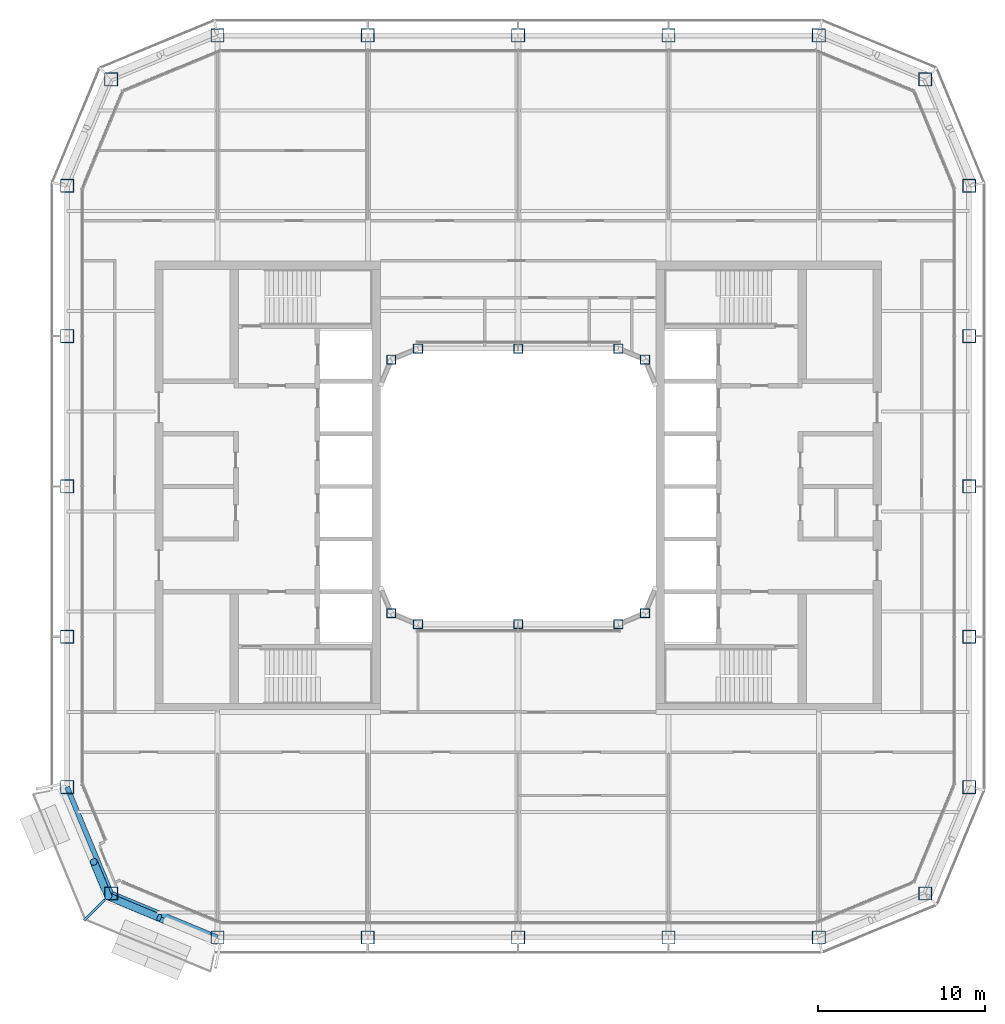
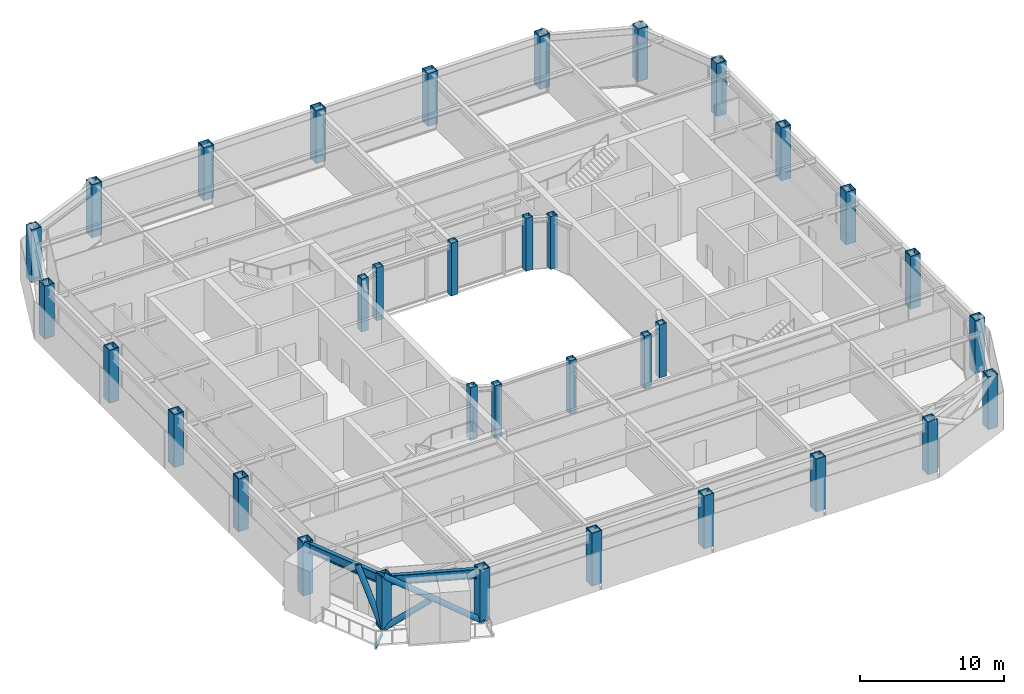
# One storey, part 1 of 23: 34 columns, 3 beams, 3 members.
"""IFC4 building model written with IfcOpenShell, lengths in metres."""

from ifc_helpers import new_model, si_unit, direction, frame, origin, origin_2d, place, context, subcontext, project, spatial, hollow_rectangle, hollow_circle, i_section, extrude, material, material_profile, profile_set, type_object, element, save


model = new_model("IFC4")

# Units and contexts
model_context = context("Model", 3, precision=1e-05, world=origin(), true_north=direction((0.0, 1.0)))
body_context = subcontext(model_context, "Body", "Model", "MODEL_VIEW")
ifc_project = project(units=[si_unit("LENGTHUNIT", "METRE"), si_unit("AREAUNIT", "SQUARE_METRE"), si_unit("VOLUMEUNIT", "CUBIC_METRE"), si_unit("PLANEANGLEUNIT", "RADIAN"), si_unit("MASSUNIT", "GRAM", prefix="KILO")], contexts=[model_context])

# Site, building, storey
site_placement = place(None, origin())
site = spatial("IfcSite", under=ifc_project, at=site_placement, CompositionType="ELEMENT")
building_placement = place(site_placement, origin())
building = spatial("IfcBuilding", under=site, at=building_placement, Name="Siwar Civic Tower", CompositionType="ELEMENT")
storey_placement = place(building_placement, frame((0.0, 0.0, 251.199951171875)))
storey = spatial("IfcBuildingStorey", under=building, at=storey_placement, Name="L54", CompositionType="ELEMENT", Elevation=251.199951171875)

# Columns
ifc_material_1 = material(Name="Steel S355", Category="steel")
ifc_material_profile_1 = material_profile(ifc_material_1, hollow_rectangle(XDim=0.800048828125, YDim=0.800048828125, WallThickness=0.044921875, at=origin_2d()), Name="BOX800x800x45")
ifc_profile_set_1 = profile_set([ifc_material_profile_1], Name="Steel S355")
column_type_1 = type_object("IfcColumnType", Name="STR-COL-BOX800x800x45", PredefinedType="COLUMN", material=ifc_profile_set_1)
for number, where, z_axis, x_axis, name in (
    (1, (-18.0, -27.0, 0.0), (0.0, 0.0, 1.0), (1.0, 0.0, 0.0), "L54/col/S-0"),
    (2, (-9.0, -27.0, 0.0), (0.0, 0.0, 1.0), (1.0, 0.0, 0.0), "L54/col/S-1"),
    (3, (0.0, -27.0, 0.0), (0.0, 0.0, 1.0), (1.0, 0.0, 0.0), "L54/col/S-2"),
    (4, (9.0, -27.0, 0.0), (0.0, 0.0, 1.0), (1.0, 0.0, 0.0), "L54/col/S-3"),
    (5, (18.0, -27.0, 0.0), (0.0, 0.0, 1.0), (1.0, 0.0, 0.0), "L54/col/SE1-0"),
    (6, (24.364013671875, -24.364013671875, 0.0), (0.0, 0.0, 1.0), (1.0, 0.0, 0.0), "L54/col/SE2-0"),
    (7, (27.0, -18.0, 0.0), (0.0, 0.0, 1.0), (1.0, 0.0, 0.0), "L54/col/E-0"),
    (8, (27.0, -9.0, 0.0), (0.0, 0.0, 1.0), (1.0, 0.0, 0.0), "L54/col/E-1"),
    (9, (27.0, 0.0, 0.0), (0.0, 0.0, 1.0), (1.0, 0.0, 0.0), "L54/col/E-2"),
    (10, (27.0, 9.0, 0.0), (0.0, 0.0, 1.0), (1.0, 0.0, 0.0), "L54/col/E-3"),
    (11, (27.0, 18.0, 0.0), (0.0, 0.0, 1.0), (1.0, 0.0, 0.0), "L54/col/NE1-0"),
    (12, (24.364013671875, 24.364013671875, 0.0), (0.0, 0.0, 1.0), (1.0, 0.0, 0.0), "L54/col/NE2-0"),
    (13, (18.0, 27.0, 0.0), (0.0, 0.0, 1.0), (1.0, 0.0, 0.0), "L54/col/N-0"),
    (14, (9.0, 27.0, 0.0), (0.0, 0.0, 1.0), (1.0, 0.0, 0.0), "L54/col/N-1"),
    (15, (0.0, 27.0, 0.0), (0.0, 0.0, 1.0), (1.0, 0.0, 0.0), "L54/col/N-2"),
    (16, (-9.0, 27.0, 0.0), (0.0, 0.0, 1.0), (1.0, 0.0, 0.0), "L54/col/N-3"),
    (17, (-18.0, 27.0, 0.0), (0.0, 0.0, 1.0), (1.0, 0.0, 0.0), "L54/col/NW1-0"),
    (18, (-24.364013671875, 24.364013671875, 0.0), (0.0, 0.0, 1.0), (1.0, 0.0, 0.0), "L54/col/NW2-0"),
    (19, (-27.0, 18.0, 0.0), (0.0, 0.0, 1.0), (1.0, 0.0, 0.0), "L54/col/W-0"),
    (20, (-27.0, 9.0, 0.0), (0.0, 0.0, 1.0), (1.0, 0.0, 0.0), "L54/col/W-1"),
    (21, (-27.0, 0.0, 0.0), (0.0, 0.0, 1.0), (1.0, 0.0, 0.0), "L54/col/W-2"),
    (22, (-27.0, -9.0, 0.0), (0.0, 0.0, 1.0), (1.0, 0.0, 0.0), "L54/col/W-3"),
    (23, (-27.0, -18.0, 0.0), (0.0, 0.0, 1.0), (1.0, 0.0, 0.0), "L54/col/SW1-0"),
    (24, (-24.364013671875, -24.364013671875, 0.0), (0.0, 0.0, 1.0), (1.0, 0.0, 0.0), "L54/col/SW2-0"),
):
    element("IfcColumn", number, at=place(storey_placement, frame(where, z_axis=z_axis, x_axis=x_axis)), inside=storey, type_object=column_type_1, Name=name, PredefinedType="COLUMN", context=body_context, shape_type="SweptSolid", body=[
        extrude(hollow_rectangle(XDim=0.800048828125, YDim=0.800048828125, WallThickness=0.044921875, at=origin_2d()), origin(), (0.0, 0.0, 1.0), 4.5),
    ])
ifc_material_2 = material(Name="Steel S355", Category="steel")
ifc_material_profile_2 = material_profile(ifc_material_2, hollow_rectangle(XDim=0.550048828125, YDim=0.550048828125, WallThickness=0.028076171875, at=origin_2d()), Name="BOX550x550x28")
ifc_profile_set_2 = profile_set([ifc_material_profile_2], Name="Steel S355")
column_type_2 = type_object("IfcColumnType", Name="STR-ICOL-BOX550x550x28", PredefinedType="COLUMN", material=ifc_profile_set_2)
for number, where, z_axis, x_axis, name in (
    (25, (-7.591064453125, -7.591064453125, 0.0), (0.0, 0.0, 1.0), (1.0, 0.0, 0.0), "L54/col/IS-0"),
    (26, (-6.0, -8.25, 0.0), (0.0, 0.0, 1.0), (1.0, 0.0, 0.0), "L54/col/IS-1"),
    (27, (0.0, -8.25, 0.0), (0.0, 0.0, 1.0), (1.0, 0.0, 0.0), "L54/col/IS-2"),
    (28, (6.0, -8.25, 0.0), (0.0, 0.0, 1.0), (1.0, 0.0, 0.0), "L54/col/IS-3"),
    (29, (7.591064453125, -7.591064453125, 0.0), (0.0, 0.0, 1.0), (1.0, 0.0, 0.0), "L54/col/IS-4"),
    (30, (-7.591064453125, 7.591064453125, 0.0), (0.0, 0.0, 1.0), (1.0, 0.0, 0.0), "L54/col/IN-0"),
    (31, (-6.0, 8.25, 0.0), (0.0, 0.0, 1.0), (1.0, 0.0, 0.0), "L54/col/IN-1"),
    (32, (0.0, 8.25, 0.0), (0.0, 0.0, 1.0), (1.0, 0.0, 0.0), "L54/col/IN-2"),
    (33, (6.0, 8.25, 0.0), (0.0, 0.0, 1.0), (1.0, 0.0, 0.0), "L54/col/IN-3"),
    (34, (7.591064453125, 7.591064453125, 0.0), (0.0, 0.0, 1.0), (1.0, 0.0, 0.0), "L54/col/IN-4"),
):
    element("IfcColumn", number, at=place(storey_placement, frame(where, z_axis=z_axis, x_axis=x_axis)), inside=storey, type_object=column_type_2, Name=name, PredefinedType="COLUMN", context=body_context, shape_type="SweptSolid", body=[
        extrude(hollow_rectangle(XDim=0.550048828125, YDim=0.550048828125, WallThickness=0.028076171875, at=origin_2d()), origin(), (0.0, 0.0, 1.0), 4.5),
    ])

# Beam
ifc_material_3 = material(Name="Steel S355", Category="steel")
ifc_material_profile_3 = material_profile(ifc_material_3, hollow_rectangle(XDim=0.14990234375, YDim=0.25, WallThickness=0.010009765625, at=origin_2d()), Name="RHS250x150x10")
ifc_profile_set_3 = profile_set([ifc_material_profile_3], Name="Steel S355")
beam_type_1 = type_object("IfcBeamType", Name="ENV-BALCONY ARM", PredefinedType="BEAM", material=ifc_profile_set_3)
beam_placement = place(storey_placement, frame((-24.728515625, -24.728515625, -0.27490234375), z_axis=(-0.707106781187, -0.707106781187, 0.0), x_axis=(0.707106781187, -0.707106781187, 0.0)))
element("IfcBeam", 35, at=beam_placement, inside=storey, type_object=beam_type_1, Name="Balcony cantilever beam SW 2", PredefinedType="BEAM", context=body_context, shape_type="SweptSolid", body=[
    extrude(hollow_rectangle(XDim=0.14990234375, YDim=0.25, WallThickness=0.010009765625, at=origin_2d()), origin(), (0.0, 0.0, 1.0), 1.75732421875),
])

# Members
ifc_material_4 = material(Name="Steel S355", Category="steel")
ifc_material_profile_4 = material_profile(ifc_material_4, hollow_circle(Radius=0.228515625, WallThickness=0.02001953125, at=origin_2d()), Name="CHS457x20")
ifc_profile_set_4 = profile_set([ifc_material_profile_4], Name="Steel S355")
member_type = type_object("IfcMemberType", Name="STR-BR-CHS457x20", PredefinedType="BRACE", material=ifc_profile_set_4)
member_1_placement = place(storey_placement, frame((-18.048828125, -27.2451171875, 0.0), z_axis=(-0.777554562952, 0.323905527954, 0.538975055633), x_axis=(-0.384538969033, -0.923108759191, 0.0)))
element("IfcMember", 36, at=member_1_placement, inside=storey, type_object=member_type, Name="L54/brc/CSW1-14-0-1", PredefinedType="BRACE", context=body_context, shape_type="SweptSolid", body=[
    extrude(hollow_circle(Radius=0.228515625, WallThickness=0.02001953125, at=origin_2d()), origin(), (0.0, 0.0, 1.0), 8.34912109375),
])
member_2_placement = place(storey_placement, frame((-24.540771484375, -24.540771484375, 0.0), z_axis=(0.777546448489, -0.323884455881, 0.538999424564), x_axis=(0.38452107079, 0.92311621485, 0.0)))
element("IfcMember", 37, at=member_2_placement, inside=storey, type_object=member_type, Name="L54/brc/CSW1-14-0-2", PredefinedType="BRACE", context=body_context, shape_type="SweptSolid", body=[
    extrude(hollow_circle(Radius=0.228515625, WallThickness=0.02001953125, at=origin_2d()), origin(), (0.0, 0.0, 1.0), 3.927978515625),
])
member_3_placement = place(storey_placement, frame((-24.540771484375, -24.540771484375, 0.0), z_axis=(-0.171426870802, 0.411570178484, 0.895110504993), x_axis=(-0.923125254544, -0.384499368559, 0.0)))
element("IfcMember", 38, at=member_3_placement, inside=storey, type_object=member_type, Name="L54/brc/CSW1-14-0-6", PredefinedType="BRACE", context=body_context, shape_type="SweptSolid", body=[
    extrude(hollow_circle(Radius=0.228515625, WallThickness=0.02001953125, at=origin_2d()), origin(), (0.0, 0.0, 1.0), 5.02734375),
])

# Beams
ifc_material_5 = material(Name="Steel S355", Category="steel")
ifc_material_profile_5 = material_profile(ifc_material_5, i_section(OverallWidth=0.300048828125, OverallDepth=0.800048828125, WebThickness=0.017578125, FlangeThickness=0.032958984375, FilletRadius=0.030029296875, at=origin_2d()), Name="HEB800")
ifc_profile_set_5 = profile_set([ifc_material_profile_5], Name="Steel S355")
beam_type_2 = type_object("IfcBeamType", Name="STR-SB-HEB800", PredefinedType="BEAM", material=ifc_profile_set_5)
for number, where, z_axis, x_axis, name in (
    (39, (-27.0, -18.0, 3.949951171875), (0.382674207535, -0.923883353507, 0.0), (0.923883353507, 0.382674207535, 0.0), "L54/bm/SSW1-0"),
    (40, (-24.364013671875, -24.364013671875, 3.949951171875), (0.923883353507, -0.382674207535, 0.0), (0.382674207535, 0.923883353507, 0.0), "L54/bm/SSW2-0"),
):
    element("IfcBeam", number, at=place(storey_placement, frame(where, z_axis=z_axis, x_axis=x_axis)), inside=storey, type_object=beam_type_2, Name=name, PredefinedType="BEAM", context=body_context, shape_type="SweptSolid", body=[
        extrude(i_section(OverallWidth=0.300048828125, OverallDepth=0.800048828125, WebThickness=0.017578125, FlangeThickness=0.032958984375, FilletRadius=0.030029296875, at=origin_2d()), origin(), (0.0, 0.0, 1.0), 6.888427734375),
    ])

save(model, "model.ifc")
